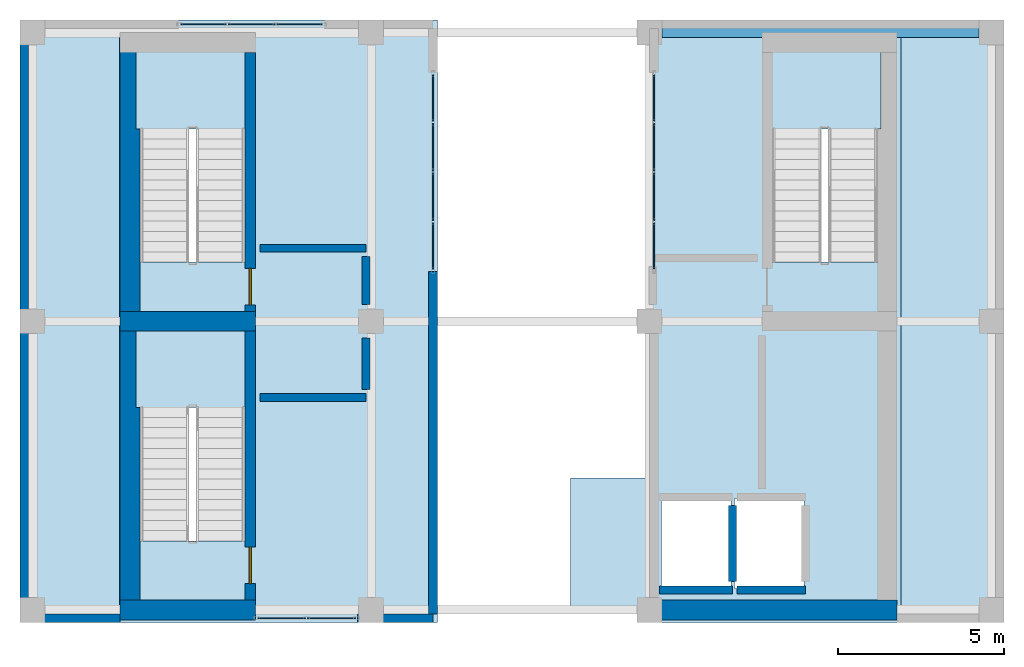
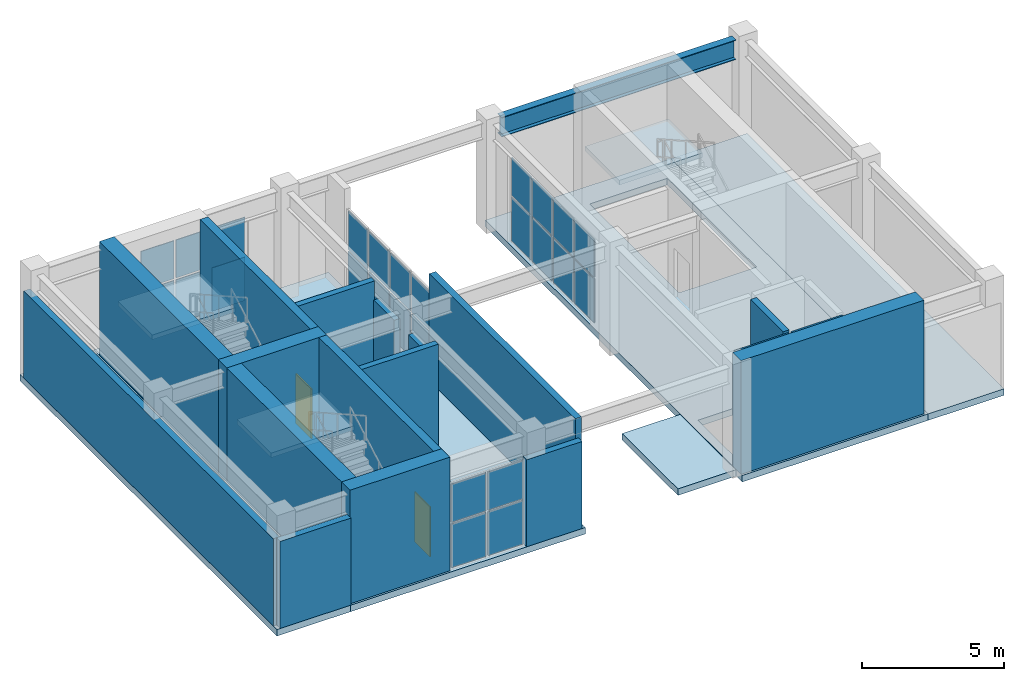
# One storey, part 9 of 11: 26 plates, 17 walls, 8 slabs, 2 doors, 1 beam, 2 openings, 7 elements without a shape of their own.
"""IFC4 building model written with IfcOpenShell, lengths in metres."""

from ifc_helpers import new_model, si_unit, direction, frame, frame_2d, origin, origin_2d, place, context, subcontext, project, spatial, polyline, rectangle, i_section, outline, extrude, material, layer, layer_set, material_profile, profile_set, type_object, element, fill, aggregate, save


model = new_model("IFC4")

# Units and contexts
model_context = context("Model", 3, precision=1e-05, world=origin(), true_north=direction((0.0, 1.0)))
body_context = subcontext(model_context, "Body", "Model", "MODEL_VIEW")
ifc_project = project(units=[si_unit("LENGTHUNIT", "METRE"), si_unit("AREAUNIT", "SQUARE_METRE"), si_unit("VOLUMEUNIT", "CUBIC_METRE"), si_unit("PLANEANGLEUNIT", "RADIAN"), si_unit("MASSUNIT", "GRAM", prefix="KILO")], contexts=[model_context])

# Site, building, storey
site_placement = place(None, origin())
site = spatial("IfcSite", under=ifc_project, at=site_placement, CompositionType="ELEMENT")
building_placement = place(site_placement, origin())
building = spatial("IfcBuilding", under=site, at=building_placement, Name="Solanera Arch Residences", CompositionType="ELEMENT")
storey_placement = place(building_placement, frame((0.0, 0.0, 282.97998046875)))
storey = spatial("IfcBuildingStorey", under=building, at=storey_placement, Name="L81", CompositionType="ELEMENT", Elevation=282.97998046875)

# Beam
ifc_material_1 = material(Name="Steel S355 (ASTM A992 / A572 Grade 50)", Category="steel")
ifc_material_profile = material_profile(ifc_material_1, i_section(OverallWidth=0.2939453125, OverallDepth=0.85107421875, WebThickness=0.01611328125, FlangeThickness=0.02685546875, at=origin_2d()))
ifc_profile_set = profile_set([ifc_material_profile], Name="Steel S355 (ASTM A992 / A572 Grade 50)")
beam_type = type_object("IfcBeamType", Name="Primary Beam W840X226", PredefinedType="BEAM", material=ifc_profile_set)
beam_placement = place(storey_placement, frame((29.574951171875, 39.39990234375, 4.195068359375), z_axis=(1.0, 0.0, 0.0), x_axis=(0.0, 1.0, 0.0)))
element("IfcBeam", 1, at=beam_placement, inside=storey, type_object=beam_type, Name="BM-L81-CR-EN", PredefinedType="BEAM", context=body_context, shape_type="SweptSolid", body=[
    extrude(i_section(OverallWidth=0.2939453125, OverallDepth=0.85107421875, WebThickness=0.01611328125, FlangeThickness=0.02685546875, at=origin_2d()), origin(), (0.0, 0.0, 1.0), 9.550048828125),
])

# Curtain wall, plates
ifc_material_2 = material(Name="Anodised Aluminium Alloy 6063-T6", Category="aluminium")
ifc_layer_1 = layer(ifc_material_2, 0.199951171875)
ifc_layer_set_1 = layer_set([ifc_layer_1], Name="Anodised Aluminium Alloy 6063-T6")
curtain_wall_type_1 = type_object("IfcCurtainWallType", Name="CW-5 Observatory High-Wind Curtain Wall", PredefinedType="USERDEFINED", material=ifc_layer_set_1)
curtain_wall_1_placement = place(storey_placement, origin())
curtain_wall_1 = element("IfcCurtainWall", 2, at=curtain_wall_1_placement, inside=storey, type_object=curtain_wall_type_1, Name="L81 Crown South Observatory Curtain Wall", ObjectType="CURTAIN_WALL", PredefinedType="USERDEFINED")
ifc_material_3 = material(Name="Double Glazed Low-E Laminated Glass", Category="glass")
ifc_layer_2 = layer(ifc_material_3, 0.035888671875)
ifc_layer_set_2 = layer_set([ifc_layer_2], Name="Double Glazed Low-E Laminated Glass")
plate_type = type_object("IfcPlateType", Name="Low-Iron Observatory Panel GL-36", PredefinedType="CURTAIN_PANEL", material=ifc_layer_set_2)
plate_1_placement = place(storey_placement, frame((19.610107421875, 21.75, 0.080078125), z_axis=(0.0, 0.0, 1.0), x_axis=(-1.0, 0.0, 0.0)))
plate_1 = element("IfcPlate", 3, at=plate_1_placement, type_object=plate_type, Name="CW-5 panel 1.1", PredefinedType="CURTAIN_PANEL", context=body_context, shape_type="SweptSolid", body=[
    extrude(rectangle(XDim=1.419921875, YDim=0.035888671875, at=origin_2d()), origin(), (0.0, 0.0, 1.0), 1.8798828125),
])
plate_2_placement = place(storey_placement, frame((19.610107421875, 21.75, 2.0400390625), z_axis=(0.0, 0.0, 1.0), x_axis=(-1.0, 0.0, 0.0)))
plate_2 = element("IfcPlate", 4, at=plate_2_placement, type_object=plate_type, Name="CW-5 panel 1.2", PredefinedType="CURTAIN_PANEL", context=body_context, shape_type="SweptSolid", body=[
    extrude(rectangle(XDim=1.419921875, YDim=0.035888671875, at=origin_2d()), origin(), (0.0, 0.0, 1.0), 1.639892578125),
])
plate_3_placement = place(storey_placement, frame((18.110107421875, 21.75, 0.080078125), z_axis=(0.0, 0.0, 1.0), x_axis=(-1.0, 0.0, 0.0)))
plate_3 = element("IfcPlate", 5, at=plate_3_placement, type_object=plate_type, Name="CW-5 panel 2.1", PredefinedType="CURTAIN_PANEL", context=body_context, shape_type="SweptSolid", body=[
    extrude(rectangle(XDim=1.419921875, YDim=0.035888671875, at=origin_2d()), origin(), (0.0, 0.0, 1.0), 1.8798828125),
])
plate_4_placement = place(storey_placement, frame((18.110107421875, 21.75, 2.0400390625), z_axis=(0.0, 0.0, 1.0), x_axis=(-1.0, 0.0, 0.0)))
plate_4 = element("IfcPlate", 6, at=plate_4_placement, type_object=plate_type, Name="CW-5 panel 2.2", PredefinedType="CURTAIN_PANEL", context=body_context, shape_type="SweptSolid", body=[
    extrude(rectangle(XDim=1.419921875, YDim=0.035888671875, at=origin_2d()), origin(), (0.0, 0.0, 1.0), 1.639892578125),
])
aggregate(curtain_wall_1, [plate_1, plate_2, plate_3, plate_4])

curtain_wall_2_placement = place(storey_placement, origin())
curtain_wall_2 = element("IfcCurtainWall", 7, at=curtain_wall_2_placement, inside=storey, type_object=curtain_wall_type_1, Name="L81 Crown North Observatory Curtain Wall", ObjectType="CURTAIN_WALL", PredefinedType="USERDEFINED")
plate_5_placement = place(storey_placement, frame((15.75341796875, 39.64990234375, 0.080078125), z_axis=(0.0, 0.0, 1.0), x_axis=(1.0, 0.0, 0.0)))
plate_5 = element("IfcPlate", 8, at=plate_5_placement, type_object=plate_type, Name="CW-5 panel 1.1", PredefinedType="CURTAIN_PANEL", context=body_context, shape_type="SweptSolid", body=[
    extrude(rectangle(XDim=1.3466796875, YDim=0.035888671875, at=origin_2d()), origin(), (0.0, 0.0, 1.0), 1.8798828125),
])
plate_6_placement = place(storey_placement, frame((15.75341796875, 39.64990234375, 2.0400390625), z_axis=(0.0, 0.0, 1.0), x_axis=(1.0, 0.0, 0.0)))
plate_6 = element("IfcPlate", 9, at=plate_6_placement, type_object=plate_type, Name="CW-5 panel 1.2", PredefinedType="CURTAIN_PANEL", context=body_context, shape_type="SweptSolid", body=[
    extrude(rectangle(XDim=1.3466796875, YDim=0.035888671875, at=origin_2d()), origin(), (0.0, 0.0, 1.0), 1.639892578125),
])
plate_7_placement = place(storey_placement, frame((17.199951171875, 39.64990234375, 0.080078125), z_axis=(0.0, 0.0, 1.0), x_axis=(1.0, 0.0, 0.0)))
plate_7 = element("IfcPlate", 10, at=plate_7_placement, type_object=plate_type, Name="CW-5 panel 2.1", PredefinedType="CURTAIN_PANEL", context=body_context, shape_type="SweptSolid", body=[
    extrude(rectangle(XDim=1.38671875, YDim=0.035888671875, at=origin_2d()), origin(), (0.0, 0.0, 1.0), 1.8798828125),
])
plate_8_placement = place(storey_placement, frame((17.199951171875, 39.64990234375, 2.0400390625), z_axis=(0.0, 0.0, 1.0), x_axis=(1.0, 0.0, 0.0)))
plate_8 = element("IfcPlate", 11, at=plate_8_placement, type_object=plate_type, Name="CW-5 panel 2.2", PredefinedType="CURTAIN_PANEL", context=body_context, shape_type="SweptSolid", body=[
    extrude(rectangle(XDim=1.38671875, YDim=0.035888671875, at=origin_2d()), origin(), (0.0, 0.0, 1.0), 1.639892578125),
])
plate_9_placement = place(storey_placement, frame((18.646728515625, 39.64990234375, 0.080078125), z_axis=(0.0, 0.0, 1.0), x_axis=(1.0, 0.0, 0.0)))
plate_9 = element("IfcPlate", 12, at=plate_9_placement, type_object=plate_type, Name="CW-5 panel 3.1", PredefinedType="CURTAIN_PANEL", context=body_context, shape_type="SweptSolid", body=[
    extrude(rectangle(XDim=1.3466796875, YDim=0.035888671875, at=origin_2d()), origin(), (0.0, 0.0, 1.0), 1.8798828125),
])
plate_10_placement = place(storey_placement, frame((18.646728515625, 39.64990234375, 2.0400390625), z_axis=(0.0, 0.0, 1.0), x_axis=(1.0, 0.0, 0.0)))
plate_10 = element("IfcPlate", 13, at=plate_10_placement, type_object=plate_type, Name="CW-5 panel 3.2", PredefinedType="CURTAIN_PANEL", context=body_context, shape_type="SweptSolid", body=[
    extrude(rectangle(XDim=1.3466796875, YDim=0.035888671875, at=origin_2d()), origin(), (0.0, 0.0, 1.0), 1.639892578125),
])
aggregate(curtain_wall_2, [plate_5, plate_6, plate_7, plate_8, plate_9, plate_10])

ifc_material_4 = material(Name="Anodised Aluminium Alloy 6063-T6", Category="aluminium")
ifc_layer_3 = layer(ifc_material_4, 0.179931640625)
ifc_layer_set_3 = layer_set([ifc_layer_3], Name="Anodised Aluminium Alloy 6063-T6")
curtain_wall_type_2 = type_object("IfcCurtainWallType", Name="CW-6 Split-Top Crown Lantern Curtain Wall", PredefinedType="USERDEFINED", material=ifc_layer_set_3)
curtain_wall_3_placement = place(storey_placement, origin())
curtain_wall_3 = element("IfcCurtainWall", 14, at=curtain_wall_3_placement, inside=storey, type_object=curtain_wall_type_2, Name="L81 W Crown Cleft Lantern Curtain Wall", ObjectType="CURTAIN_WALL", PredefinedType="USERDEFINED")
plate_11_placement = place(storey_placement, frame((22.669921875, 32.969970703125, 0.080078125), z_axis=(0.0, 0.0, 1.0), x_axis=(0.0, 1.0, 0.0)))
plate_11 = element("IfcPlate", 15, at=plate_11_placement, type_object=plate_type, Name="CW-6 panel 1.1", PredefinedType="CURTAIN_PANEL", context=body_context, shape_type="SweptSolid", body=[
    extrude(rectangle(XDim=1.3798828125, YDim=0.035888671875, at=origin_2d()), origin(), (0.0, 0.0, 1.0), 1.8798828125),
])
plate_12_placement = place(storey_placement, frame((22.669921875, 32.969970703125, 2.0400390625), z_axis=(0.0, 0.0, 1.0), x_axis=(0.0, 1.0, 0.0)))
plate_12 = element("IfcPlate", 16, at=plate_12_placement, type_object=plate_type, Name="CW-6 panel 1.2", PredefinedType="CURTAIN_PANEL", context=body_context, shape_type="SweptSolid", body=[
    extrude(rectangle(XDim=1.3798828125, YDim=0.035888671875, at=origin_2d()), origin(), (0.0, 0.0, 1.0), 1.639892578125),
])
plate_13_placement = place(storey_placement, frame((22.669921875, 34.449951171875, 0.080078125), z_axis=(0.0, 0.0, 1.0), x_axis=(0.0, 1.0, 0.0)))
plate_13 = element("IfcPlate", 17, at=plate_13_placement, type_object=plate_type, Name="CW-6 panel 2.1", PredefinedType="CURTAIN_PANEL", context=body_context, shape_type="SweptSolid", body=[
    extrude(rectangle(XDim=1.419921875, YDim=0.035888671875, at=origin_2d()), origin(), (0.0, 0.0, 1.0), 1.8798828125),
])
plate_14_placement = place(storey_placement, frame((22.669921875, 34.449951171875, 2.0400390625), z_axis=(0.0, 0.0, 1.0), x_axis=(0.0, 1.0, 0.0)))
plate_14 = element("IfcPlate", 18, at=plate_14_placement, type_object=plate_type, Name="CW-6 panel 2.2", PredefinedType="CURTAIN_PANEL", context=body_context, shape_type="SweptSolid", body=[
    extrude(rectangle(XDim=1.419921875, YDim=0.035888671875, at=origin_2d()), origin(), (0.0, 0.0, 1.0), 1.639892578125),
])
plate_15_placement = place(storey_placement, frame((22.669921875, 35.949951171875, 0.080078125), z_axis=(0.0, 0.0, 1.0), x_axis=(0.0, 1.0, 0.0)))
plate_15 = element("IfcPlate", 19, at=plate_15_placement, type_object=plate_type, Name="CW-6 panel 3.1", PredefinedType="CURTAIN_PANEL", context=body_context, shape_type="SweptSolid", body=[
    extrude(rectangle(XDim=1.419921875, YDim=0.035888671875, at=origin_2d()), origin(), (0.0, 0.0, 1.0), 1.8798828125),
])
plate_16_placement = place(storey_placement, frame((22.669921875, 35.949951171875, 2.0400390625), z_axis=(0.0, 0.0, 1.0), x_axis=(0.0, 1.0, 0.0)))
plate_16 = element("IfcPlate", 20, at=plate_16_placement, type_object=plate_type, Name="CW-6 panel 3.2", PredefinedType="CURTAIN_PANEL", context=body_context, shape_type="SweptSolid", body=[
    extrude(rectangle(XDim=1.419921875, YDim=0.035888671875, at=origin_2d()), origin(), (0.0, 0.0, 1.0), 1.639892578125),
])
plate_17_placement = place(storey_placement, frame((22.669921875, 37.429931640625, 0.080078125), z_axis=(0.0, 0.0, 1.0), x_axis=(0.0, 1.0, 0.0)))
plate_17 = element("IfcPlate", 21, at=plate_17_placement, type_object=plate_type, Name="CW-6 panel 4.1", PredefinedType="CURTAIN_PANEL", context=body_context, shape_type="SweptSolid", body=[
    extrude(rectangle(XDim=1.3798828125, YDim=0.035888671875, at=origin_2d()), origin(), (0.0, 0.0, 1.0), 1.8798828125),
])
plate_18_placement = place(storey_placement, frame((22.669921875, 37.429931640625, 2.0400390625), z_axis=(0.0, 0.0, 1.0), x_axis=(0.0, 1.0, 0.0)))
plate_18 = element("IfcPlate", 22, at=plate_18_placement, type_object=plate_type, Name="CW-6 panel 4.2", PredefinedType="CURTAIN_PANEL", context=body_context, shape_type="SweptSolid", body=[
    extrude(rectangle(XDim=1.3798828125, YDim=0.035888671875, at=origin_2d()), origin(), (0.0, 0.0, 1.0), 1.639892578125),
])
aggregate(curtain_wall_3, [plate_11, plate_12, plate_13, plate_14, plate_15, plate_16, plate_17, plate_18])

curtain_wall_4_placement = place(storey_placement, origin())
curtain_wall_4 = element("IfcCurtainWall", 23, at=curtain_wall_4_placement, inside=storey, type_object=curtain_wall_type_2, Name="L81 E Crown Cleft Lantern Curtain Wall", ObjectType="CURTAIN_WALL", PredefinedType="USERDEFINED")
plate_19_placement = place(storey_placement, frame((29.330078125, 32.969970703125, 0.080078125), z_axis=(0.0, 0.0, 1.0), x_axis=(0.0, 1.0, 0.0)))
plate_19 = element("IfcPlate", 24, at=plate_19_placement, type_object=plate_type, Name="CW-6 panel 1.1", PredefinedType="CURTAIN_PANEL", context=body_context, shape_type="SweptSolid", body=[
    extrude(rectangle(XDim=1.3798828125, YDim=0.035888671875, at=origin_2d()), origin(), (0.0, 0.0, 1.0), 1.8798828125),
])
plate_20_placement = place(storey_placement, frame((29.330078125, 32.969970703125, 2.0400390625), z_axis=(0.0, 0.0, 1.0), x_axis=(0.0, 1.0, 0.0)))
plate_20 = element("IfcPlate", 25, at=plate_20_placement, type_object=plate_type, Name="CW-6 panel 1.2", PredefinedType="CURTAIN_PANEL", context=body_context, shape_type="SweptSolid", body=[
    extrude(rectangle(XDim=1.3798828125, YDim=0.035888671875, at=origin_2d()), origin(), (0.0, 0.0, 1.0), 1.639892578125),
])
plate_21_placement = place(storey_placement, frame((29.330078125, 34.449951171875, 0.080078125), z_axis=(0.0, 0.0, 1.0), x_axis=(0.0, 1.0, 0.0)))
plate_21 = element("IfcPlate", 26, at=plate_21_placement, type_object=plate_type, Name="CW-6 panel 2.1", PredefinedType="CURTAIN_PANEL", context=body_context, shape_type="SweptSolid", body=[
    extrude(rectangle(XDim=1.419921875, YDim=0.035888671875, at=origin_2d()), origin(), (0.0, 0.0, 1.0), 1.8798828125),
])
plate_22_placement = place(storey_placement, frame((29.330078125, 34.449951171875, 2.0400390625), z_axis=(0.0, 0.0, 1.0), x_axis=(0.0, 1.0, 0.0)))
plate_22 = element("IfcPlate", 27, at=plate_22_placement, type_object=plate_type, Name="CW-6 panel 2.2", PredefinedType="CURTAIN_PANEL", context=body_context, shape_type="SweptSolid", body=[
    extrude(rectangle(XDim=1.419921875, YDim=0.035888671875, at=origin_2d()), origin(), (0.0, 0.0, 1.0), 1.639892578125),
])
plate_23_placement = place(storey_placement, frame((29.330078125, 35.949951171875, 0.080078125), z_axis=(0.0, 0.0, 1.0), x_axis=(0.0, 1.0, 0.0)))
plate_23 = element("IfcPlate", 28, at=plate_23_placement, type_object=plate_type, Name="CW-6 panel 3.1", PredefinedType="CURTAIN_PANEL", context=body_context, shape_type="SweptSolid", body=[
    extrude(rectangle(XDim=1.419921875, YDim=0.035888671875, at=origin_2d()), origin(), (0.0, 0.0, 1.0), 1.8798828125),
])
plate_24_placement = place(storey_placement, frame((29.330078125, 35.949951171875, 2.0400390625), z_axis=(0.0, 0.0, 1.0), x_axis=(0.0, 1.0, 0.0)))
plate_24 = element("IfcPlate", 29, at=plate_24_placement, type_object=plate_type, Name="CW-6 panel 3.2", PredefinedType="CURTAIN_PANEL", context=body_context, shape_type="SweptSolid", body=[
    extrude(rectangle(XDim=1.419921875, YDim=0.035888671875, at=origin_2d()), origin(), (0.0, 0.0, 1.0), 1.639892578125),
])
plate_25_placement = place(storey_placement, frame((29.330078125, 37.429931640625, 0.080078125), z_axis=(0.0, 0.0, 1.0), x_axis=(0.0, 1.0, 0.0)))
plate_25 = element("IfcPlate", 30, at=plate_25_placement, type_object=plate_type, Name="CW-6 panel 4.1", PredefinedType="CURTAIN_PANEL", context=body_context, shape_type="SweptSolid", body=[
    extrude(rectangle(XDim=1.3798828125, YDim=0.035888671875, at=origin_2d()), origin(), (0.0, 0.0, 1.0), 1.8798828125),
])
plate_26_placement = place(storey_placement, frame((29.330078125, 37.429931640625, 2.0400390625), z_axis=(0.0, 0.0, 1.0), x_axis=(0.0, 1.0, 0.0)))
plate_26 = element("IfcPlate", 31, at=plate_26_placement, type_object=plate_type, Name="CW-6 panel 4.2", PredefinedType="CURTAIN_PANEL", context=body_context, shape_type="SweptSolid", body=[
    extrude(rectangle(XDim=1.3798828125, YDim=0.035888671875, at=origin_2d()), origin(), (0.0, 0.0, 1.0), 1.639892578125),
])
aggregate(curtain_wall_4, [plate_19, plate_20, plate_21, plate_22, plate_23, plate_24, plate_25, plate_26])

# Slabs
ifc_material_5 = material(Name="Concrete C40/50 (f'c = 45 MPa)", Category="concrete")
ifc_layer_4 = layer(ifc_material_5, 0.239990234375)
ifc_layer_set_4 = layer_set([ifc_layer_4], Name="Concrete C40/50 (f'c = 45 MPa)")
slab_type_1 = type_object("IfcSlabType", Name="Roof Deck Slab 240", PredefinedType="ROOF", material=ifc_layer_set_4)
slab_1_placement = place(storey_placement, frame((0.0, 0.0, -0.280029296875)))
element("IfcSlab", 32, at=slab_1_placement, inside=storey, type_object=slab_type_1, Name="L81 Crown Peak Plenum Deck WO", PredefinedType="ROOF", context=body_context, shape_type="SweptSolid", body=[
    extrude(outline(polyline([(13.219970703125, 21.6201171875), (13.219970703125, 39.780029296875), (10.219970703125, 39.780029296875), (10.219970703125, 21.6201171875), (13.219970703125, 21.6201171875)])), origin(), (0.0, 0.0, 1.0), 0.280029296875),
])
slab_2_placement = place(storey_placement, frame((0.0, 0.0, -0.280029296875)))
element("IfcSlab", 33, at=slab_2_placement, inside=storey, type_object=slab_type_1, Name="L81 Crown Peak Plenum Deck EO", PredefinedType="ROOF", context=body_context, shape_type="SweptSolid", body=[
    extrude(outline(polyline([(39.8798828125, 21.6201171875), (39.8798828125, 39.780029296875), (36.780029296875, 39.780029296875), (36.780029296875, 21.6201171875), (39.8798828125, 21.6201171875)])), origin(), (0.0, 0.0, 1.0), 0.280029296875),
])
slab_3_placement = place(storey_placement, frame((0.0, 0.0, -0.280029296875)))
element("IfcSlab", 34, at=slab_3_placement, inside=storey, type_object=slab_type_1, Name="L81 Service Lift Overrun Closure Slab", PredefinedType="ROOF", context=body_context, shape_type="SweptSolid", body=[
    extrude(outline(polyline([(26.820068359375, 22.0400390625), (29.179931640625, 22.0400390625), (29.179931640625, 25.97998046875), (26.820068359375, 25.97998046875), (26.820068359375, 22.0400390625)])), origin(), (0.0, 0.0, 1.0), 0.280029296875),
])

# Stair, slab
ifc_material_6 = material(Name="Concrete C40/50 (f'c = 45 MPa)", Category="concrete")
stair_type = type_object("IfcStairType", Name="Tower Dogleg Exit Stair 1480", PredefinedType="HALF_TURN_STAIR", material=ifc_material_6)
stair_1_placement = place(storey_placement, origin())
stair_1 = element("IfcStair", 35, at=stair_1_placement, inside=storey, type_object=stair_type, Name="L81 Tower Core Exit Stair 1", PredefinedType="HALF_TURN_STAIR")
ifc_material_7 = material(Name="Concrete C40/50 (f'c = 45 MPa)", Category="concrete")
ifc_layer_5 = layer(ifc_material_7, 0.199951171875)
ifc_layer_set_5 = layer_set([ifc_layer_5], Name="Concrete C40/50 (f'c = 45 MPa)")
slab_type_2 = type_object("IfcSlabType", Name="Stair Half-Landing Slab 200", PredefinedType="LANDING", material=ifc_layer_set_5)
slab_4_placement = place(storey_placement, frame((0.0, 0.0, 2.25)))
slab_4 = element("IfcSlab", 36, at=slab_4_placement, type_object=slab_type_2, Name="ST-T1 landing 1", PredefinedType="LANDING", context=body_context, shape_type="SweptSolid", body=[
    extrude(outline(polyline([(17.1201171875, 36.5), (17.1201171875, 38.919921875), (13.719970703125, 38.919921875), (13.719970703125, 36.5), (17.1201171875, 36.5)])), origin(), (0.0, 0.0, 1.0), 0.199951171875),
])
aggregate(stair_1, [slab_4])

stair_2_placement = place(storey_placement, origin())
stair_2 = element("IfcStair", 37, at=stair_2_placement, inside=storey, type_object=stair_type, Name="L81 Tower Core Exit Stair 2", PredefinedType="HALF_TURN_STAIR")
slab_5_placement = place(storey_placement, frame((0.0, 0.0, 2.25)))
slab_5 = element("IfcSlab", 38, at=slab_5_placement, type_object=slab_type_2, Name="ST-T2 landing 1", PredefinedType="LANDING", context=body_context, shape_type="SweptSolid", body=[
    extrude(outline(polyline([(36.179931640625, 36.5), (36.179931640625, 38.919921875), (32.780029296875, 38.919921875), (32.780029296875, 36.5), (36.179931640625, 36.5)])), origin(), (0.0, 0.0, 1.0), 0.199951171875),
])
aggregate(stair_2, [slab_5])

stair_3_placement = place(storey_placement, origin())
stair_3 = element("IfcStair", 39, at=stair_3_placement, inside=storey, type_object=stair_type, Name="L81 Tower Core Exit Stair 3", PredefinedType="HALF_TURN_STAIR")
slab_6_placement = place(storey_placement, frame((0.0, 0.0, 2.25)))
slab_6 = element("IfcSlab", 40, at=slab_6_placement, type_object=slab_type_2, Name="ST-T3 landing 1", PredefinedType="LANDING", context=body_context, shape_type="SweptSolid", body=[
    extrude(outline(polyline([(17.1201171875, 28.10009765625), (17.1201171875, 30.52001953125), (13.719970703125, 30.52001953125), (13.719970703125, 28.10009765625), (17.1201171875, 28.10009765625)])), origin(), (0.0, 0.0, 1.0), 0.199951171875),
])
aggregate(stair_3, [slab_6])

# Slabs
ifc_material_8 = material(Name="Concrete C40/50 (f'c = 45 MPa)", Category="concrete")
ifc_layer_6 = layer(ifc_material_8, 0.280029296875)
ifc_layer_set_6 = layer_set([ifc_layer_6], Name="Concrete C40/50 (f'c = 45 MPa)")
slab_type_3 = type_object("IfcSlabType", Name="Suspended Floor Slab Post-Tensioned 280", PredefinedType="FLOOR", material=ifc_layer_set_6)
slab_7_placement = place(storey_placement, frame((0.0, 0.0, -0.280029296875)))
element("IfcSlab", 41, at=slab_7_placement, inside=storey, type_object=slab_type_3, Name="L81 West Crown Core Landing Slab", PredefinedType="FLOOR", context=body_context, shape_type="SweptSolid", body=[
    extrude(outline(polyline([(22.800048828125, 21.6201171875), (22.800048828125, 39.780029296875), (13.199951171875, 39.780029296875), (13.199951171875, 21.6201171875), (22.800048828125, 21.6201171875)]), holes=[polyline([(13.840087890625, 32.48291015625), (13.840087890625, 38.800048828125), (17.0, 38.800048828125), (17.0, 32.48291015625), (13.840087890625, 32.48291015625)]), polyline([(13.840087890625, 24.0830078125), (13.840087890625, 30.39990234375), (17.0, 30.39990234375), (17.0, 24.0830078125), (13.840087890625, 24.0830078125)])]), origin(), (0.0, 0.0, 1.0), 0.280029296875),
])
slab_8_placement = place(storey_placement, frame((0.0, 0.0, -0.280029296875)))
element("IfcSlab", 42, at=slab_8_placement, inside=storey, type_object=slab_type_3, Name="L81 East Crown Core Landing Slab", PredefinedType="FLOOR", context=body_context, shape_type="SweptSolid", body=[
    extrude(outline(polyline([(36.800048828125, 21.6201171875), (36.800048828125, 39.780029296875), (29.199951171875, 39.780029296875), (29.199951171875, 21.6201171875), (36.800048828125, 21.6201171875)]), holes=[polyline([(32.89990234375, 32.48291015625), (32.89990234375, 38.800048828125), (36.06005859375, 38.800048828125), (36.06005859375, 32.48291015625), (32.89990234375, 32.48291015625)]), polyline([(29.550048828125, 25.35009765625), (31.64990234375, 25.35009765625), (31.64990234375, 22.64990234375), (29.550048828125, 22.64990234375), (29.550048828125, 25.35009765625)]), polyline([(31.75, 25.35009765625), (33.85009765625, 25.35009765625), (33.85009765625, 22.64990234375), (31.75, 22.64990234375), (31.75, 25.35009765625)])]), origin(), (0.0, 0.0, 1.0), 0.280029296875),
])

# Wall, opening, door
ifc_material_9 = material(Name="Concrete C40/50 (f'c = 45 MPa)", Category="concrete")
ifc_layer_7 = layer(ifc_material_9, 0.320068359375)
ifc_layer_set_7 = layer_set([ifc_layer_7], Name="Concrete C40/50 (f'c = 45 MPa)")
wall_type_1 = type_object("IfcWallType", Name="Core Shear Wall CW-320", PredefinedType="SHEAR", material=ifc_layer_set_7)
wall_1_placement = place(storey_placement, frame((17.159912109375, 31.0, 0.0), z_axis=(0.0, 0.0, 1.0), x_axis=(0.0, 1.0, 0.0)))
wall_1 = element("IfcWall", 43, at=wall_1_placement, inside=storey, type_object=wall_type_1, Name="L81 Stair ST-T1 East Shear Wall", PredefinedType="SHEAR", context=body_context, shape_type="SweptSolid", body=[
    extrude(rectangle(XDim=7.800048828125, YDim=0.320068359375, at=frame_2d((3.89990234375, 0.0))), origin(), (0.0, 0.0, 1.0), 4.89990234375),
])
opening_1_placement = place(wall_1_placement, frame((0.18994140625, 0.0, 0.0)))
opening_1 = element("IfcOpeningElement", 44, at=opening_1_placement, cuts=wall_1, Name="Opening DF-01", PredefinedType="OPENING", context=body_context, shape_type="SweptSolid", body=[
    extrude(rectangle(XDim=1.10009765625, YDim=2.14990234375, at=frame_2d((0.550048828125, 1.074951171875))), frame((0.0, 0.169921875, 0.0), z_axis=(0.0, -1.0, 0.0), x_axis=(1.0, 0.0, 0.0)), (0.0, 0.0, 1.0), 0.3401),
])
ifc_material_10 = material(Name="Fire-Rated Architectural Hardwood", Category="wood")
door_type = type_object("IfcDoorType", Name="Stair Exit Fire Door DF-01", OperationType="NOTDEFINED", PredefinedType="DOOR", material=ifc_material_10)
door_1_placement = place(opening_1_placement, origin())
door_1 = element("IfcDoor", 45, at=door_1_placement, inside=storey, type_object=door_type, Name="DR-L81-STAIR-ST-T1", OperationType="SINGLE_SWING_LEFT", OverallHeight=2.14990234375, OverallWidth=1.10009765625, PredefinedType="DOOR", context=body_context, shape_type="SweptSolid", body=[
    extrude(rectangle(XDim=1.10009765625, YDim=2.14990234375, at=frame_2d((0.550048828125, 1.074951171875))), frame((0.0, 0.02490234375, 0.0), z_axis=(0.0, -1.0, 0.0), x_axis=(1.0, 0.0, 0.0)), (0.0, 0.0, 1.0), 0.050048828125),
])
fill(opening_1, door_1)

wall_2_placement = place(storey_placement, frame((17.159912109375, 22.300048828125, 0.0), z_axis=(0.0, 0.0, 1.0), x_axis=(0.0, 1.0, 0.0)))
wall_2 = element("IfcWall", 46, at=wall_2_placement, inside=storey, type_object=wall_type_1, Name="L81 Stair ST-T3 East Shear Wall", PredefinedType="SHEAR", context=body_context, shape_type="SweptSolid", body=[
    extrude(rectangle(XDim=8.099853515625, YDim=0.320068359375, at=frame_2d((4.0498046875, 0.0))), origin(), (0.0, 0.0, 1.0), 4.89990234375),
])
opening_2_placement = place(wall_2_placement, frame((0.489990234375, 0.0, 0.0)))
opening_2 = element("IfcOpeningElement", 47, at=opening_2_placement, cuts=wall_2, Name="Opening DF-01", PredefinedType="OPENING", context=body_context, shape_type="SweptSolid", body=[
    extrude(rectangle(XDim=1.10009765625, YDim=2.14990234375, at=frame_2d((0.550048828125, 1.074951171875))), frame((0.0, 0.169921875, 0.0), z_axis=(0.0, -1.0, 0.0), x_axis=(1.0, 0.0, 0.0)), (0.0, 0.0, 1.0), 0.3401),
])
door_2_placement = place(opening_2_placement, origin())
door_2 = element("IfcDoor", 48, at=door_2_placement, inside=storey, type_object=door_type, Name="DR-L81-STAIR-ST-T3", OperationType="SINGLE_SWING_LEFT", OverallHeight=2.14990234375, OverallWidth=1.10009765625, PredefinedType="DOOR", context=body_context, shape_type="SweptSolid", body=[
    extrude(rectangle(XDim=1.10009765625, YDim=2.14990234375, at=frame_2d((0.550048828125, 1.074951171875))), frame((0.0, 0.02490234375, 0.0), z_axis=(0.0, -1.0, 0.0), x_axis=(1.0, 0.0, 0.0)), (0.0, 0.0, 1.0), 0.050048828125),
])
fill(opening_2, door_2)

# Walls
ifc_material_11 = material(Name="Concrete C40/50 (f'c = 45 MPa)", Category="concrete")
ifc_layer_8 = layer(ifc_material_11, 0.60009765625)
ifc_layer_set_8 = layer_set([ifc_layer_8], Name="Concrete C40/50 (f'c = 45 MPa)")
wall_type_2 = type_object("IfcWallType", Name="Core Shear Wall CW-600", PredefinedType="SHEAR", material=ifc_layer_set_8)
wall_3_placement = place(storey_placement, frame((13.5400390625, 22.0, 0.0), z_axis=(0.0, 0.0, 1.0), x_axis=(0.0, 1.0, 0.0)))
element("IfcWall", 49, at=wall_3_placement, inside=storey, type_object=wall_type_2, Name="L81 West Core Shear Wall", PredefinedType="SHEAR", context=body_context, shape_type="SweptSolid", body=[
    extrude(rectangle(XDim=17.39990234375, YDim=0.60009765625, at=frame_2d((8.699951171875, 0.0))), origin(), (0.0, 0.0, 1.0), 4.89990234375),
])
for number, where, z_axis, x_axis, name in (
    (50, (13.239990234375, 22.0, 0.0), (0.0, 0.0, 1.0), (1.0, 0.0, 0.0), "L81 South-West Core Shear Wall"),
    (51, (13.239990234375, 30.699951171875, 0.0), (0.0, 0.0, 1.0), (1.0, 0.0, 0.0), "L81 West Stair Divider Shear Wall"),
):
    element("IfcWall", number, at=place(storey_placement, frame(where, z_axis=z_axis, x_axis=x_axis)), inside=storey, type_object=wall_type_2, Name=name, PredefinedType="SHEAR", context=body_context, shape_type="SweptSolid", body=[
        extrude(rectangle(XDim=4.080078125, YDim=0.60009765625, at=frame_2d((2.0400390625, 0.0))), origin(), (0.0, 0.0, 1.0), 4.89990234375),
    ])
wall_4_placement = place(storey_placement, frame((29.199951171875, 22.0, 0.0), z_axis=(0.0, 0.0, 1.0), x_axis=(1.0, 0.0, 0.0)))
element("IfcWall", 52, at=wall_4_placement, inside=storey, type_object=wall_type_2, Name="L81 South-East Core Shear Wall", PredefinedType="SHEAR", context=body_context, shape_type="SweptSolid", body=[
    extrude(rectangle(XDim=7.4599609375, YDim=0.60009765625, at=frame_2d((3.72998046875, 0.0))), origin(), (0.0, 0.0, 1.0), 4.89990234375),
])
ifc_material_12 = material(Name="Precast Concrete C35/45", Category="concrete")
ifc_layer_9 = layer(ifc_material_12, 0.260009765625)
ifc_layer_set_9 = layer_set([ifc_layer_9], Name="Precast Concrete C35/45")
wall_type_3 = type_object("IfcWallType", Name="Exterior Wall Precast Masonry-Frame 260", PredefinedType="STANDARD", material=ifc_layer_set_9)
wall_5_placement = place(storey_placement, frame((22.669921875, 21.75, 0.0), z_axis=(0.0, 0.0, 1.0), x_axis=(-1.0, 0.0, 0.0)))
element("IfcWall", 53, at=wall_5_placement, inside=storey, type_object=wall_type_3, Name="L81 W Crown South Pier 1", PredefinedType="STANDARD", context=body_context, shape_type="SweptSolid", body=[
    extrude(rectangle(XDim=2.27001953125, YDim=0.260009765625, at=frame_2d((1.135009765625, 0.0))), origin(), (0.0, 0.0, 1.0), 3.75390625),
])
wall_6_placement = place(storey_placement, frame((13.239990234375, 21.75, 0.0), z_axis=(0.0, 0.0, 1.0), x_axis=(-1.0, 0.0, 0.0)))
element("IfcWall", 54, at=wall_6_placement, inside=storey, type_object=wall_type_3, Name="L81 W Crown South Pier 2", PredefinedType="STANDARD", context=body_context, shape_type="SweptSolid", body=[
    extrude(rectangle(XDim=2.889892578125, YDim=0.260009765625, at=frame_2d((1.44482421875, 0.0))), origin(), (0.0, 0.0, 1.0), 3.75390625),
])
wall_7_placement = place(storey_placement, frame((10.35009765625, 21.8798828125, 0.0), z_axis=(0.0, 0.0, 1.0), x_axis=(0.0, 1.0, 0.0)))
element("IfcWall", 55, at=wall_7_placement, inside=storey, type_object=wall_type_3, Name="L81 W Crown Peak Outer Precast Wall", PredefinedType="STANDARD", context=body_context, shape_type="SweptSolid", body=[
    extrude(rectangle(XDim=17.64013671875, YDim=0.260009765625, at=frame_2d((8.820068359375, 0.0))), origin(), (0.0, 0.0, 1.0), 3.75390625),
])
wall_8_placement = place(storey_placement, frame((22.669921875, 21.8798828125, 0.0), z_axis=(0.0, 0.0, 1.0), x_axis=(0.0, 1.0, 0.0)))
element("IfcWall", 56, at=wall_8_placement, inside=storey, type_object=wall_type_3, Name="L81 W Cleft Cheek South Wall", PredefinedType="STANDARD", context=body_context, shape_type="SweptSolid", body=[
    extrude(rectangle(XDim=10.320068359375, YDim=0.260009765625, at=frame_2d((5.16015625, 0.0))), origin(), (0.0, 0.0, 1.0), 4.6201171875),
])
ifc_material_13 = material(Name="Autoclaved Aerated Concrete Blockwork", Category="masonry")
ifc_layer_10 = layer(ifc_material_13, 0.239990234375)
ifc_layer_set_10 = layer_set([ifc_layer_10], Name="Autoclaved Aerated Concrete Blockwork")
wall_type_4 = type_object("IfcWallType", Name="Shaft Wall Fire-Rated 240", PredefinedType="PARTITIONING", material=ifc_layer_set_10)
wall_9_placement = place(storey_placement, frame((29.5, 22.60009765625, 0.0), z_axis=(0.0, 0.0, 1.0), x_axis=(1.0, 0.0, 0.0)))
element("IfcWall", 57, at=wall_9_placement, inside=storey, type_object=wall_type_4, Name="L81 Lift FFL-1 Hoistway Wall S", PredefinedType="PARTITIONING", context=body_context, shape_type="SweptSolid", body=[
    extrude(rectangle(XDim=2.199951171875, YDim=0.239990234375, at=frame_2d((1.10009765625, 0.0))), origin(), (0.0, 0.0, 1.0), 4.6201171875),
])
wall_10_placement = place(storey_placement, frame((31.699951171875, 22.847900390625, 0.0), z_axis=(0.0, 0.0, 1.0), x_axis=(0.0, 1.0, 0.0)))
element("IfcWall", 58, at=wall_10_placement, inside=storey, type_object=wall_type_4, Name="L81 Lift FFL-1 Hoistway Wall E", PredefinedType="PARTITIONING", context=body_context, shape_type="SweptSolid", body=[
    extrude(rectangle(XDim=2.30419921875, YDim=0.239990234375, at=frame_2d((1.152099609375, 0.0))), origin(), (0.0, 0.0, 1.0), 4.6201171875),
])
wall_11_placement = place(storey_placement, frame((31.827880859375, 22.60009765625, 0.0), z_axis=(0.0, 0.0, 1.0), x_axis=(1.0, 0.0, 0.0)))
element("IfcWall", 59, at=wall_11_placement, inside=storey, type_object=wall_type_4, Name="L81 Lift FFL-2 Hoistway Wall S", PredefinedType="PARTITIONING", context=body_context, shape_type="SweptSolid", body=[
    extrude(rectangle(XDim=2.072021484375, YDim=0.239990234375, at=frame_2d((1.0361328125, 0.0))), origin(), (0.0, 0.0, 1.0), 4.6201171875),
])
for number, where, z_axis, x_axis, name in (
    (60, (17.449951171875, 28.39990234375, 0.0), (0.0, 0.0, 1.0), (1.0, 0.0, 0.0), "L81 Interior Partition H2"),
    (61, (17.449951171875, 32.89990234375, 0.0), (0.0, 0.0, 1.0), (1.0, 0.0, 0.0), "L81 Interior Partition H4"),
):
    element("IfcWall", number, at=place(storey_placement, frame(where, z_axis=z_axis, x_axis=x_axis)), inside=storey, type_object=wall_type_4, Name=name, PredefinedType="PARTITIONING", context=body_context, shape_type="SweptSolid", body=[
        extrude(rectangle(XDim=3.199951171875, YDim=0.239990234375, at=frame_2d((1.60009765625, 0.0))), origin(), (0.0, 0.0, 1.0), 4.6201171875),
    ])
wall_12_placement = place(storey_placement, frame((20.64990234375, 28.64794921875, 0.0), z_axis=(0.0, 0.0, 1.0), x_axis=(0.0, 1.0, 0.0)))
element("IfcWall", 62, at=wall_12_placement, inside=storey, type_object=wall_type_4, Name="L81 Interior Partition V2 1", PredefinedType="PARTITIONING", context=body_context, shape_type="SweptSolid", body=[
    extrude(rectangle(XDim=1.545166015625, YDim=0.239990234375, at=frame_2d((0.7724609375, 0.0))), origin(), (0.0, 0.0, 1.0), 3.912109375),
])
wall_13_placement = place(storey_placement, frame((20.64990234375, 31.20703125, 0.0), z_axis=(0.0, 0.0, 1.0), x_axis=(0.0, 1.0, 0.0)))
element("IfcWall", 63, at=wall_13_placement, inside=storey, type_object=wall_type_4, Name="L81 Interior Partition V2 2", PredefinedType="PARTITIONING", context=body_context, shape_type="SweptSolid", body=[
    extrude(rectangle(XDim=1.445068359375, YDim=0.239990234375, at=frame_2d((0.72265625, 0.0))), origin(), (0.0, 0.0, 1.0), 3.912109375),
])

save(model, "model.ifc")
